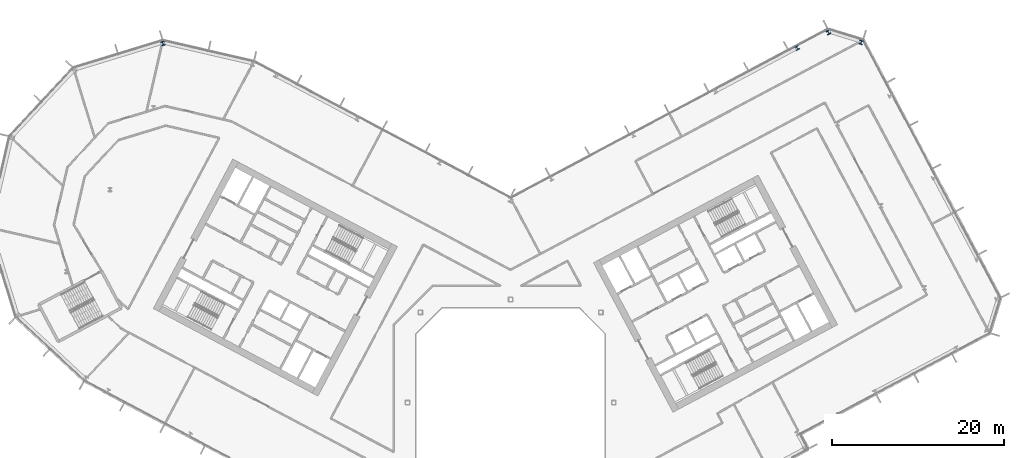
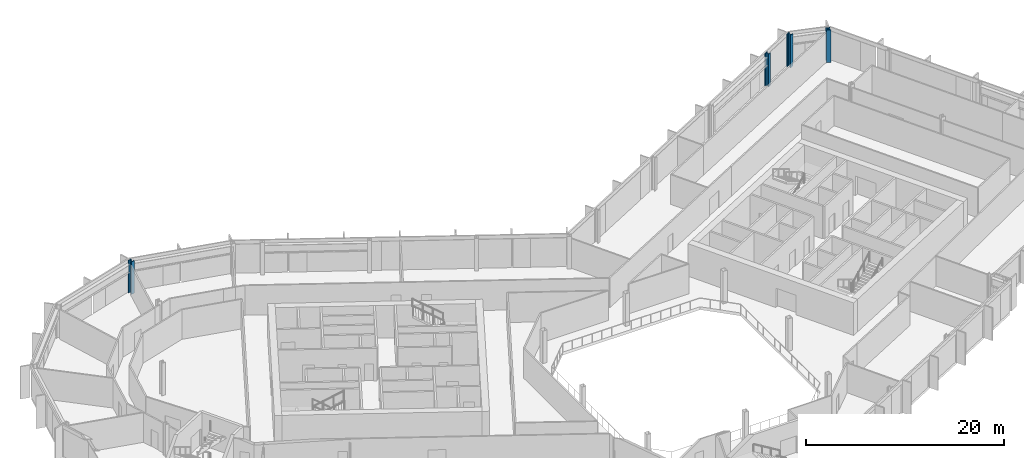
# One storey, part 8 of 28: 4 columns.
"""IFC4 building model written with IfcOpenShell, lengths in metres."""

from ifc_helpers import new_model, si_unit, direction, frame, origin, origin_2d, place, context, subcontext, project, spatial, i_section, extrude, material, material_profile, profile_set, type_object, element, save


model = new_model("IFC4")

# Units and contexts
model_context = context("Model", 3, precision=1e-05, world=origin(), true_north=direction((0.0, 1.0)))
body_context = subcontext(model_context, "Body", "Model", "MODEL_VIEW")
ifc_project = project(units=[si_unit("LENGTHUNIT", "METRE"), si_unit("AREAUNIT", "SQUARE_METRE"), si_unit("VOLUMEUNIT", "CUBIC_METRE"), si_unit("PLANEANGLEUNIT", "RADIAN"), si_unit("MASSUNIT", "GRAM", prefix="KILO")], contexts=[model_context])

# Site, building, storey
site_placement = place(None, origin())
site = spatial("IfcSite", under=ifc_project, at=site_placement, CompositionType="ELEMENT")
building_placement = place(site_placement, origin())
building = spatial("IfcBuilding", under=site, at=building_placement, Name="Cormorant Relay Tower", CompositionType="ELEMENT")
storey_placement = place(building_placement, frame((0.0, 0.0, 150.199951171875)))
storey = spatial("IfcBuildingStorey", under=building, at=storey_placement, Name="L31", CompositionType="ELEMENT", Elevation=150.199951171875)

# Columns
ifc_material_1 = material(Name="Steel ASTM A992 (Fy 345 MPa)", Category="steel")
ifc_material_profile_1 = material_profile(ifc_material_1, i_section(OverallWidth=0.41162109375, OverallDepth=0.434326171875, WebThickness=0.035888671875, FlangeThickness=0.057373046875, FilletRadius=0.01513671875, at=origin_2d()), Name="W360x463")
ifc_profile_set_1 = profile_set([ifc_material_profile_1], Name="Steel ASTM A992 (Fy 345 MPa)")
column_type_1 = type_object("IfcColumnType", Name="Column W360x463", PredefinedType="COLUMN", material=ifc_profile_set_1)
column_placement = place(storey_placement, frame((33.33203125, 41.258056640625, 0.0), z_axis=(0.0, 0.0, 1.0), x_axis=(-0.882947592859, -0.469471562786, 0.0)))
element("IfcColumn", 1, at=column_placement, inside=storey, type_object=column_type_1, Name="Column L31-047", PredefinedType="COLUMN", context=body_context, shape_type="SweptSolid", body=[
    extrude(i_section(OverallWidth=0.41162109375, OverallDepth=0.434326171875, WebThickness=0.035888671875, FlangeThickness=0.057373046875, FilletRadius=0.01513671875, at=origin_2d()), origin(), (0.0, 0.0, 1.0), 4.0),
])
ifc_material_2 = material(Name="Steel ASTM A992 (Fy 345 MPa)", Category="steel")
ifc_material_profile_2 = material_profile(ifc_material_2, i_section(OverallWidth=0.42431640625, OverallDepth=0.47509765625, WebThickness=0.0478515625, FlangeThickness=0.0771484375, FilletRadius=0.014892578125, at=origin_2d()), Name="W360x634")
ifc_profile_set_2 = profile_set([ifc_material_profile_2], Name="Steel ASTM A992 (Fy 345 MPa)")
column_type_2 = type_object("IfcColumnType", Name="Column W360x634", PredefinedType="COLUMN", material=ifc_profile_set_2)
for number, where, z_axis, x_axis, name in (
    (2, (-40.4541015625, 41.783935546875, 0.0), (0.0, 0.0, 1.0), (-0.956304755963, -0.292371704723, 0.0), "Column L31-048"),
    (3, (40.77197265625, 41.9130859375, 0.0), (0.0, 0.0, 1.0), (-0.956304755963, 0.292371704723, 0.0), "Column L31-049"),
    (4, (36.970947265625, 43.075927734375, 0.0), (0.0, 0.0, 1.0), (-0.882947592859, -0.469471562786, 0.0), "Column L31-050"),
):
    element("IfcColumn", number, at=place(storey_placement, frame(where, z_axis=z_axis, x_axis=x_axis)), inside=storey, type_object=column_type_2, Name=name, PredefinedType="COLUMN", context=body_context, shape_type="SweptSolid", body=[
        extrude(i_section(OverallWidth=0.42431640625, OverallDepth=0.47509765625, WebThickness=0.0478515625, FlangeThickness=0.0771484375, FilletRadius=0.014892578125, at=origin_2d()), origin(), (0.0, 0.0, 1.0), 4.0),
    ])

save(model, "model.ifc")
